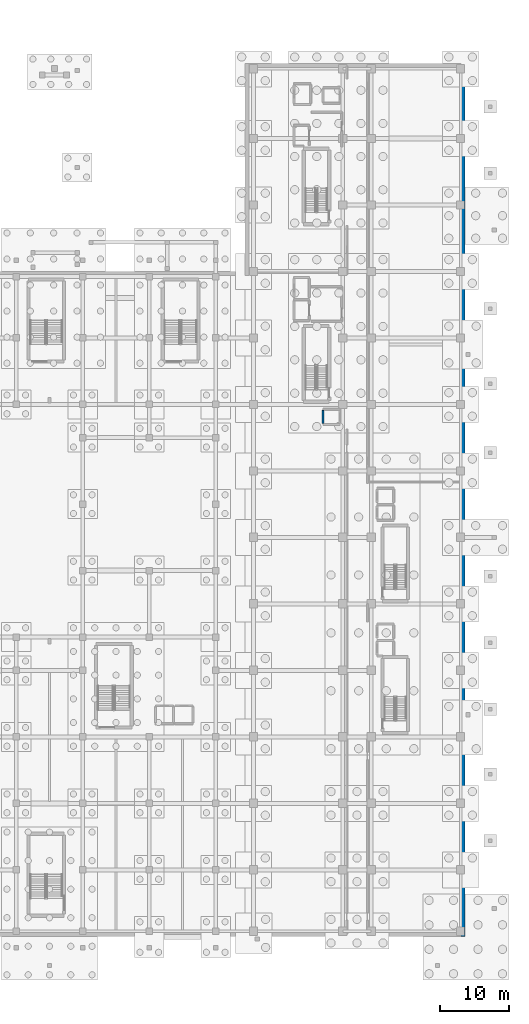
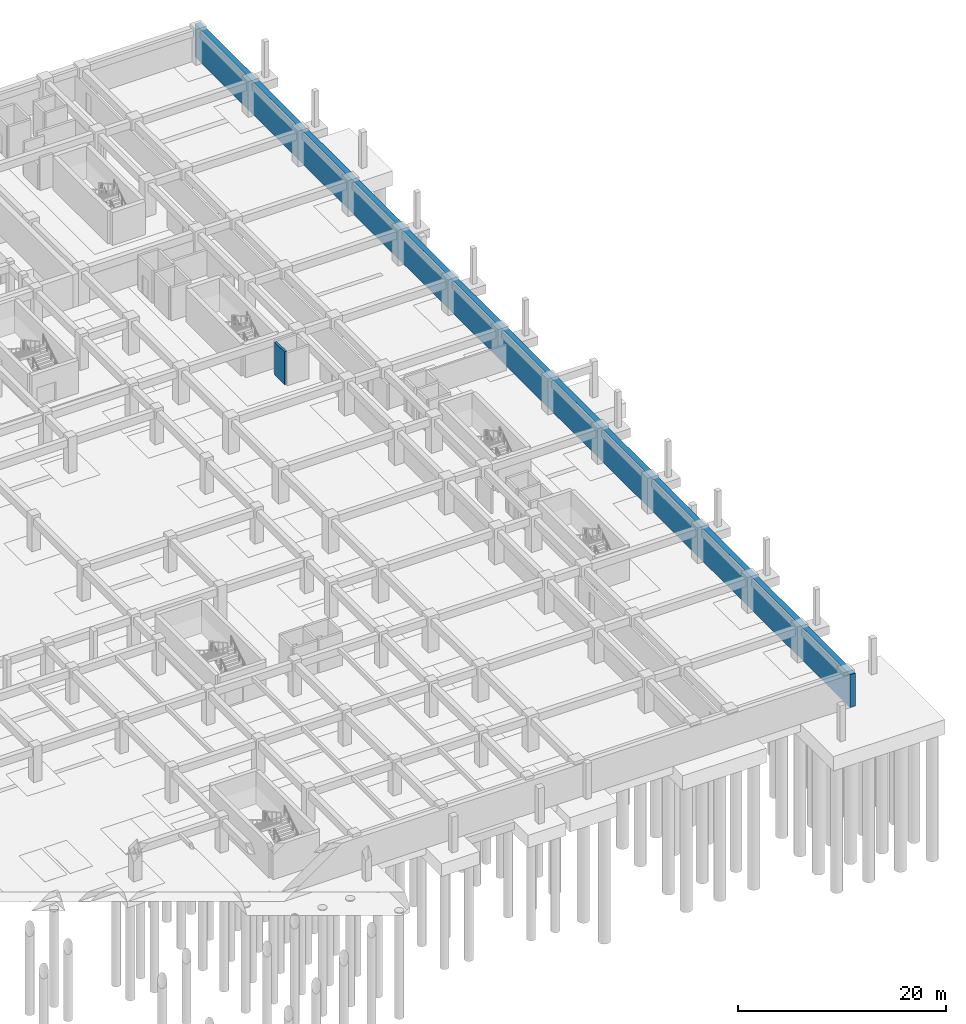
# One storey, part 22 of 39: 2 walls.
"""IFC4 building model written with IfcOpenShell, lengths in metres."""

from ifc_helpers import new_model, si_unit, direction, frame, frame_2d, origin, place, context, subcontext, project, spatial, rectangle, extrude, material, layer, layer_set, type_object, element, save


model = new_model("IFC4")

# Units and contexts
model_context = context("Model", 3, precision=1e-05, world=origin(), true_north=direction((0.0, 1.0)))
body_context = subcontext(model_context, "Body", "Model", "MODEL_VIEW")
ifc_project = project(units=[si_unit("LENGTHUNIT", "METRE"), si_unit("AREAUNIT", "SQUARE_METRE"), si_unit("VOLUMEUNIT", "CUBIC_METRE"), si_unit("PLANEANGLEUNIT", "RADIAN"), si_unit("MASSUNIT", "GRAM", prefix="KILO")], contexts=[model_context])

# Site, building, storey
site_placement = place(None, origin())
site = spatial("IfcSite", under=ifc_project, at=site_placement, CompositionType="ELEMENT")
building_placement = place(site_placement, origin())
building = spatial("IfcBuilding", under=site, at=building_placement, Name="Nakhvara Creek Congress Hotel", CompositionType="ELEMENT")
storey_placement = place(building_placement, frame((0.0, 0.0, -8.39990234375)))
storey = spatial("IfcBuildingStorey", under=building, at=storey_placement, Name="B2", CompositionType="ELEMENT", Elevation=-8.39990234375)

# Walls
ifc_material = material(Name="Concrete C40/50", Category="concrete")
ifc_layer_1 = layer(ifc_material, 0.60009765625)
ifc_layer_set_1 = layer_set([ifc_layer_1], Name="Concrete C40/50")
wall_type_1 = type_object("IfcWallType", Name="W-RET-600", PredefinedType="USERDEFINED", material=ifc_layer_set_1)
wall_1_placement = place(storey_placement, frame((179.699951171875, 126.0, 0.0), z_axis=(0.0, 0.0, 1.0), x_axis=(0.0, -1.0, 0.0)))
element("IfcWall", 1, at=wall_1_placement, inside=storey, type_object=wall_type_1, Name="Exterior Wall WR01-EW-B2-0007", ObjectType="RETAININGWALL", PredefinedType="USERDEFINED", context=body_context, shape_type="SweptSolid", body=[
    extrude(rectangle(XDim=126.0, YDim=0.60009765625, at=frame_2d((63.0, 0.0))), origin(), (0.0, 0.0, 1.0), 3.85986328125),
])
ifc_layer_2 = layer(ifc_material, 0.25)
ifc_layer_set_2 = layer_set([ifc_layer_2], Name="Concrete C40/50")
wall_type_2 = type_object("IfcWallType", Name="W-SHAFT-250", PredefinedType="SOLIDWALL", material=ifc_layer_set_2)
wall_2_placement = place(storey_placement, frame((159.489990234375, 74.050048828125, 0.0), z_axis=(0.0, 0.0, 1.0), x_axis=(0.0, 1.0, 0.0)))
element("IfcWall", 2, at=wall_2_placement, inside=storey, type_object=wall_type_2, Name="Core Shear Wall WI02-CWALL-B2-0014", PredefinedType="SOLIDWALL", context=body_context, shape_type="SweptSolid", body=[
    extrude(rectangle(XDim=1.89990234375, YDim=0.25, at=frame_2d((0.949951171875, 0.0))), origin(), (0.0, 0.0, 1.0), 3.85986328125),
])

save(model, "model.ifc")
